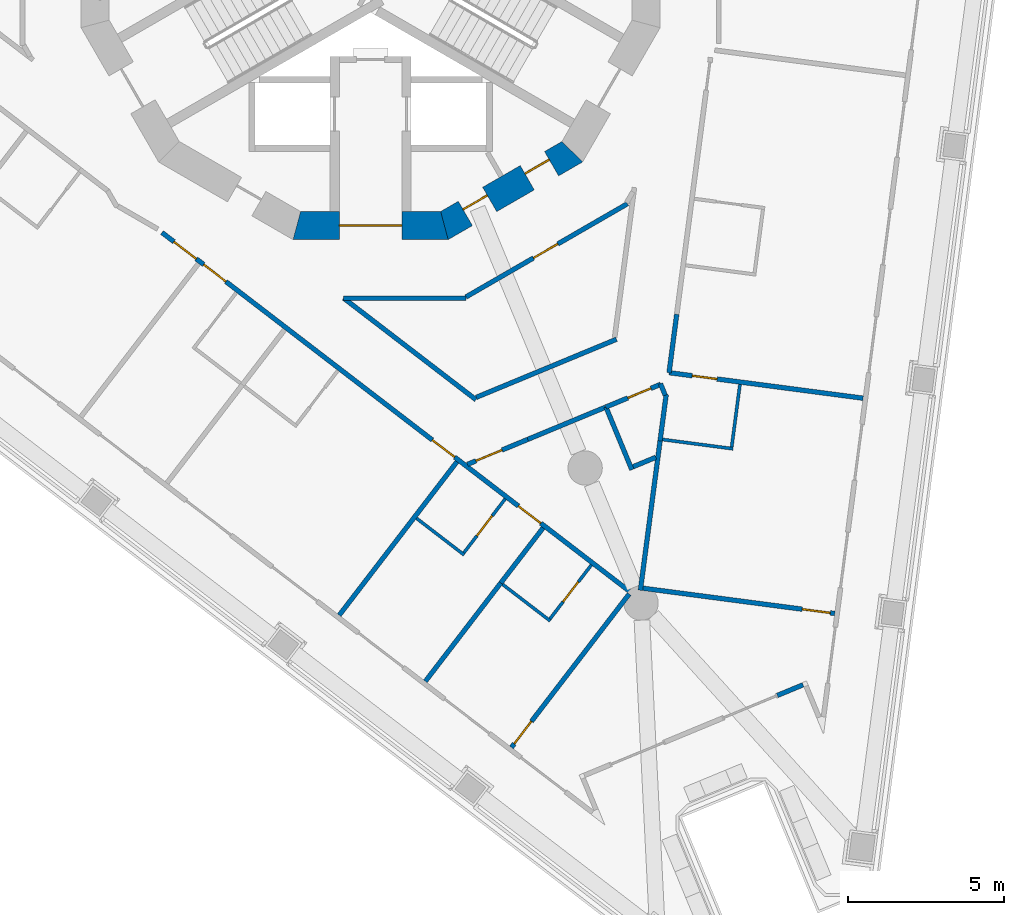
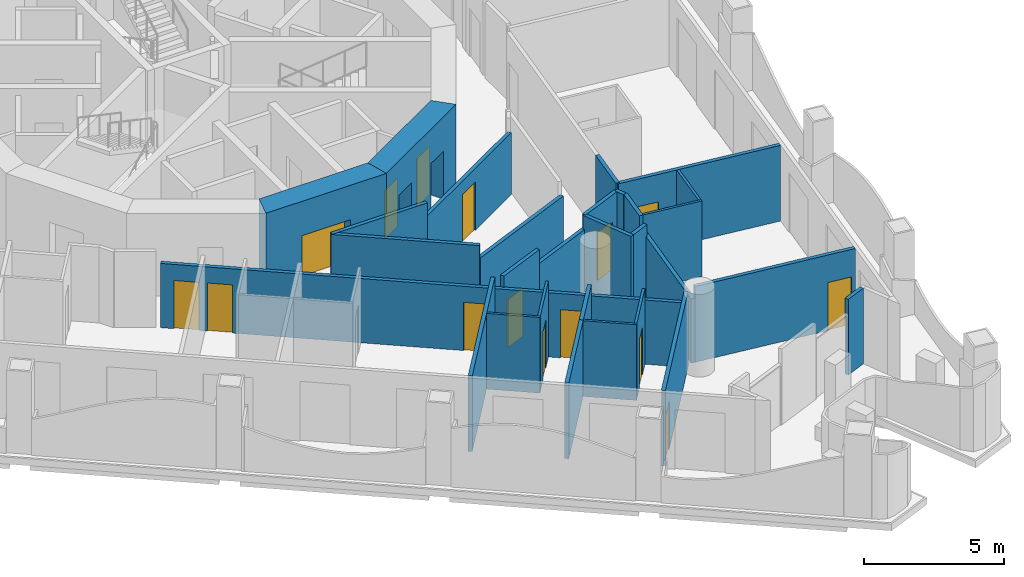
# One storey, part 4 of 18: 29 walls, 15 doors, 15 openings.
"""IFC4 building model written with IfcOpenShell, lengths in metres."""

from ifc_helpers import new_model, si_unit, direction, frame, frame_2d, origin, place, context, subcontext, project, spatial, polyline, rectangle, outline, extrude, material, layer, layer_set, type_object, element, fill, save


model = new_model("IFC4")

# Units and contexts
model_context = context("Model", 3, precision=1e-05, world=origin(), true_north=direction((0.0, 1.0)))
body_context = subcontext(model_context, "Body", "Model", "MODEL_VIEW")
ifc_project = project(units=[si_unit("LENGTHUNIT", "METRE"), si_unit("AREAUNIT", "SQUARE_METRE"), si_unit("VOLUMEUNIT", "CUBIC_METRE"), si_unit("PLANEANGLEUNIT", "RADIAN"), si_unit("MASSUNIT", "GRAM", prefix="KILO")], contexts=[model_context])

# Site, building, storey
site_placement = place(None, origin())
site = spatial("IfcSite", under=ifc_project, at=site_placement, CompositionType="ELEMENT")
building_placement = place(site_placement, origin())
building = spatial("IfcBuilding", under=site, at=building_placement, Name="Trine Commons Tower", CompositionType="ELEMENT")
storey_placement = place(building_placement, frame((0.0, 0.0, 142.199951171875)))
storey = spatial("IfcBuildingStorey", under=building, at=storey_placement, Name="L36", CompositionType="ELEMENT", Elevation=142.199951171875)

# Wall
ifc_material_1 = material(Name="Aluminium-framed insulated wall panel", Category="aluminium")
ifc_layer_1 = layer(ifc_material_1, 0.14990234375)
ifc_layer_set_1 = layer_set([ifc_layer_1], Name="Aluminium-framed insulated wall panel")
wall_type_1 = type_object("IfcWallType", Name="Glazed frame wall 150, EI 60", PredefinedType="SOLIDWALL", material=ifc_layer_set_1)
wall_1_placement = place(storey_placement, frame((93.951416015625, 39.009521484375, 0.0), z_axis=(0.0, 0.0, 1.0), x_axis=(-0.923826362943, -0.382811769845, 0.0)))
element("IfcWall", 1, at=wall_1_placement, inside=storey, type_object=wall_type_1, Name="Glazed frame wall P3.1", PredefinedType="SOLIDWALL", context=body_context, shape_type="SweptSolid", body=[
    extrude(outline(polyline([(0.110107421875, -0.074951171875), (1.0, -0.074951171875), (1.0, 0.074951171875), (0.110107421875, 0.074951171875), (0.110107421875, -0.074951171875)])), origin(), (0.0, 0.0, 1.0), 3.300048828125),
])

# Wall, opening, door
ifc_material_2 = material(Name="Concrete C70/85", Category="concrete")
ifc_layer_2 = layer(ifc_material_2, 0.89990234375)
ifc_layer_set_2 = layer_set([ifc_layer_2], Name="Concrete C70/85")
wall_type_2 = type_object("IfcWallType", Name="RC shear wall 900 mm, C70/85", PredefinedType="SHEAR", material=ifc_layer_set_2)
wall_2_placement = place(storey_placement, frame((77.515380859375, 53.677001953125, 0.0), z_axis=(0.0, 0.0, 1.0), x_axis=(1.0, 0.0, 0.0)))
wall_2 = element("IfcWall", 2, at=wall_2_placement, inside=storey, type_object=wall_type_2, Name="Core wall CWD-10 L36", PredefinedType="SHEAR", context=body_context, shape_type="SweptSolid", body=[
    extrude(outline(polyline([(0.0, -0.449951171875), (4.969482421875, -0.449951171875), (4.728271484375, 0.449951171875), (0.2412109375, 0.449951171875), (0.0, -0.449951171875)])), origin(), (0.0, 0.0, 1.0), 3.60009765625),
])
opening_1_placement = place(wall_2_placement, frame((1.484619140625, 0.0, 0.0)))
opening_1 = element("IfcOpeningElement", 3, at=opening_1_placement, cuts=wall_2, Name="Opening K11.08", PredefinedType="OPENING", context=body_context, shape_type="SweptSolid", body=[
    extrude(rectangle(XDim=2.0, YDim=2.10009765625, at=frame_2d((1.0, 1.050048828125))), frame((0.0, 0.4599609375, 0.0), z_axis=(0.0, -1.0, 0.0), x_axis=(1.0, 0.0, 0.0)), (0.0, 0.0, 1.0), 0.919921875),
])
ifc_material_3 = material(Name="Steel door leaves, fire-rated", Category="steel")
door_type_1 = type_object("IfcDoorType", Name="Lobby door, double leaf 2000 x 2100, FD60", OperationType="DOUBLE_DOOR_SINGLE_SWING", PredefinedType="DOOR", material=ifc_material_3)
door_1_placement = place(opening_1_placement, origin())
door_1 = element("IfcDoor", 4, at=door_1_placement, inside=storey, type_object=door_type_1, Name="Lobby door, Service and firefighting lobby L36", OperationType="DOUBLE_DOOR_SINGLE_SWING", OverallHeight=2.10009765625, OverallWidth=2.0, PredefinedType="DOOR", context=body_context, shape_type="SweptSolid", body=[
    extrude(rectangle(XDim=2.0, YDim=2.10009765625, at=frame_2d((1.0, 1.050048828125))), frame((0.0, 0.02490234375, 0.0), z_axis=(0.0, -1.0, 0.0), x_axis=(1.0, 0.0, 0.0)), (0.0, 0.0, 1.0), 0.050048828125),
])
fill(opening_1, door_1)

# Wall, openings, doors
wall_3_placement = place(storey_placement, frame((82.259765625, 53.61669921875, 0.0), z_axis=(0.0, 0.0, 1.0), x_axis=(0.866003133579, 0.500038571144, 0.0)))
wall_3 = element("IfcWall", 5, at=wall_3_placement, inside=storey, type_object=wall_type_2, Name="Core wall CWD-11 L36", PredefinedType="SHEAR", context=body_context, shape_type="SweptSolid", body=[
    extrude(outline(polyline([(0.0, -0.449951171875), (4.96923828125, -0.449951171875), (4.72802734375, 0.449951171875), (0.2412109375, 0.449951171875), (0.0, -0.449951171875)])), origin(), (0.0, 0.0, 1.0), 3.60009765625),
])
opening_2_placement = place(wall_3_placement, frame((0.89501953125, 0.0, 0.0)))
opening_2 = element("IfcOpeningElement", 6, at=opening_2_placement, cuts=wall_3, Name="Opening K11.17", PredefinedType="OPENING", context=body_context, shape_type="SweptSolid", body=[
    extrude(rectangle(XDim=0.89990234375, YDim=2.10009765625, at=frame_2d((0.449951171875, 1.050048828125))), frame((0.0, 0.4599609375, 0.0), z_axis=(0.0, -1.0, 0.0), x_axis=(1.0, 0.0, 0.0)), (0.0, 0.0, 1.0), 0.919921875),
])
opening_3_placement = place(wall_3_placement, frame((3.18408203125, 0.0, 0.0)))
opening_3 = element("IfcOpeningElement", 7, at=opening_3_placement, cuts=wall_3, Name="Opening K11.18", PredefinedType="OPENING", context=body_context, shape_type="SweptSolid", body=[
    extrude(rectangle(XDim=0.89990234375, YDim=2.10009765625, at=frame_2d((0.449951171875, 1.050048828125))), frame((0.0, 0.4599609375, 0.0), z_axis=(0.0, -1.0, 0.0), x_axis=(1.0, 0.0, 0.0)), (0.0, 0.0, 1.0), 0.919921875),
])
ifc_material_4 = material(Name="Steel door leaf, fire-rated", Category="steel")
door_type_2 = type_object("IfcDoorType", Name="Core room door, single leaf 900 x 2100, FD30S", OperationType="SINGLE_SWING_LEFT", PredefinedType="DOOR", material=ifc_material_4)
door_2_placement = place(opening_2_placement, origin())
door_2 = element("IfcDoor", 8, at=door_2_placement, inside=storey, type_object=door_type_2, Name="Door to Parcel store L36", OperationType="SINGLE_SWING_LEFT", OverallHeight=2.10009765625, OverallWidth=0.89990234375, PredefinedType="DOOR", context=body_context, shape_type="SweptSolid", body=[
    extrude(rectangle(XDim=0.89990234375, YDim=2.10009765625, at=frame_2d((0.449951171875, 1.050048828125))), frame((0.0, 0.1748046875, 0.0), z_axis=(0.0, -1.0, 0.0), x_axis=(1.0, 0.0, 0.0)), (0.0, 0.0, 1.0), 0.050048828125),
])
fill(opening_2, door_2)
door_3_placement = place(opening_3_placement, origin())
door_3 = element("IfcDoor", 9, at=door_3_placement, inside=storey, type_object=door_type_2, Name="Door to Print room L36", OperationType="SINGLE_SWING_RIGHT", OverallHeight=2.10009765625, OverallWidth=0.89990234375, PredefinedType="DOOR", context=body_context, shape_type="SweptSolid", body=[
    extrude(rectangle(XDim=0.89990234375, YDim=2.10009765625, at=frame_2d((0.449951171875, 1.050048828125))), frame((0.0, 0.1748046875, 0.0), z_axis=(0.0, -1.0, 0.0), x_axis=(1.0, 0.0, 0.0)), (0.0, 0.0, 1.0), 0.050048828125),
])
fill(opening_3, door_3)

ifc_material_5 = material(Name="Gypsum plasterboard on steel stud", Category="steel")
ifc_layer_3 = layer(ifc_material_5, 0.14990234375)
ifc_layer_set_3 = layer_set([ifc_layer_3], Name="Gypsum plasterboard on steel stud")
wall_type_3 = type_object("IfcWallType", Name="Unit and corridor wall 150 mm, EI 60", PredefinedType="PARTITIONING", material=ifc_layer_set_3)
wall_4_placement = place(storey_placement, frame((73.318115234375, 53.4541015625, 0.0), z_axis=(0.0, 0.0, 1.0), x_axis=(0.793337765411, -0.60878172605, 0.0)))
wall_4 = element("IfcWall", 10, at=wall_4_placement, inside=storey, type_object=wall_type_3, Name="Partition 052", PredefinedType="PARTITIONING", context=body_context, shape_type="SweptSolid", body=[
    extrude(rectangle(XDim=18.994873046875, YDim=0.14990234375, at=frame_2d((9.49755859375, 0.0))), origin(), (0.0, 0.0, 1.0), 2.800048828125),
])
opening_4_placement = place(wall_4_placement, frame((14.39306640625, 0.0, 0.0)))
opening_4 = element("IfcOpeningElement", 11, at=opening_4_placement, cuts=wall_4, Name="Opening D-4B21", PredefinedType="OPENING", context=body_context, shape_type="SweptSolid", body=[
    extrude(rectangle(XDim=0.89990234375, YDim=2.10009765625, at=frame_2d((0.449951171875, 1.050048828125))), frame((0.0, 0.0849609375, 0.0), z_axis=(0.0, -1.0, 0.0), x_axis=(1.0, 0.0, 0.0)), (0.0, 0.0, 1.0), 0.169921875),
])
opening_5_placement = place(wall_4_placement, frame((10.91552734375, 0.0, 0.0)))
opening_5 = element("IfcOpeningElement", 12, at=opening_5_placement, cuts=wall_4, Name="Opening D-4B22", PredefinedType="OPENING", context=body_context, shape_type="SweptSolid", body=[
    extrude(rectangle(XDim=0.89990234375, YDim=2.10009765625, at=frame_2d((0.449951171875, 1.050048828125))), frame((0.0, 0.0849609375, 0.0), z_axis=(0.0, -1.0, 0.0), x_axis=(1.0, 0.0, 0.0)), (0.0, 0.0, 1.0), 0.169921875),
])
opening_6_placement = place(wall_4_placement, frame((1.6826171875, 0.0, 0.0)))
opening_6 = element("IfcOpeningElement", 13, at=opening_6_placement, cuts=wall_4, Name="Opening D-4B23", PredefinedType="OPENING", context=body_context, shape_type="SweptSolid", body=[
    extrude(rectangle(XDim=0.89990234375, YDim=2.10009765625, at=frame_2d((0.449951171875, 1.050048828125))), frame((0.0, 0.0849609375, 0.0), z_axis=(0.0, -1.0, 0.0), x_axis=(1.0, 0.0, 0.0)), (0.0, 0.0, 1.0), 0.169921875),
])
opening_7_placement = place(wall_4_placement, frame((0.482666015625, 0.0, 0.0)))
opening_7 = element("IfcOpeningElement", 14, at=opening_7_placement, cuts=wall_4, Name="Opening D-4B24", PredefinedType="OPENING", context=body_context, shape_type="SweptSolid", body=[
    extrude(rectangle(XDim=0.89990234375, YDim=2.10009765625, at=frame_2d((0.449951171875, 1.050048828125))), frame((0.0, 0.0849609375, 0.0), z_axis=(0.0, -1.0, 0.0), x_axis=(1.0, 0.0, 0.0)), (0.0, 0.0, 1.0), 0.169921875),
])
ifc_material_6 = material(Name="Timber fire door set", Category="wood")
door_type_3 = type_object("IfcDoorType", Name="Bedroom door 900 x 2100, FD30S", OperationType="NOTDEFINED", PredefinedType="DOOR", material=ifc_material_6)
door_4_placement = place(opening_4_placement, frame((0.89990234375, 0.0, 0.0), z_axis=(0.0, 0.0, 1.0), x_axis=(-1.0, 0.0, 0.0)))
door_4 = element("IfcDoor", 15, at=door_4_placement, inside=storey, type_object=door_type_3, Name="Door D-4B21", OperationType="SINGLE_SWING_LEFT", OverallHeight=2.10009765625, OverallWidth=0.89990234375, PredefinedType="DOOR", context=body_context, shape_type="SweptSolid", body=[
    extrude(rectangle(XDim=0.89990234375, YDim=2.10009765625, at=frame_2d((0.449951171875, 1.050048828125))), frame((0.0, 0.02490234375, 0.0), z_axis=(0.0, -1.0, 0.0), x_axis=(1.0, 0.0, 0.0)), (0.0, 0.0, 1.0), 0.050048828125),
])
fill(opening_4, door_4)
door_5_placement = place(opening_5_placement, frame((0.89990234375, 0.0, 0.0), z_axis=(0.0, 0.0, 1.0), x_axis=(-1.0, 0.0, 0.0)))
door_5 = element("IfcDoor", 16, at=door_5_placement, inside=storey, type_object=door_type_3, Name="Door D-4B22", OperationType="SINGLE_SWING_LEFT", OverallHeight=2.10009765625, OverallWidth=0.89990234375, PredefinedType="DOOR", context=body_context, shape_type="SweptSolid", body=[
    extrude(rectangle(XDim=0.89990234375, YDim=2.10009765625, at=frame_2d((0.449951171875, 1.050048828125))), frame((0.0, 0.02490234375, 0.0), z_axis=(0.0, -1.0, 0.0), x_axis=(1.0, 0.0, 0.0)), (0.0, 0.0, 1.0), 0.050048828125),
])
fill(opening_5, door_5)
door_6_placement = place(opening_6_placement, frame((0.89990234375, 0.0, 0.0), z_axis=(0.0, 0.0, 1.0), x_axis=(-1.0, 0.0, 0.0)))
door_6 = element("IfcDoor", 17, at=door_6_placement, inside=storey, type_object=door_type_3, Name="Door D-4B23", OperationType="SINGLE_SWING_RIGHT", OverallHeight=2.10009765625, OverallWidth=0.89990234375, PredefinedType="DOOR", context=body_context, shape_type="SweptSolid", body=[
    extrude(rectangle(XDim=0.89990234375, YDim=2.10009765625, at=frame_2d((0.449951171875, 1.050048828125))), frame((0.0, 0.02490234375, 0.0), z_axis=(0.0, -1.0, 0.0), x_axis=(1.0, 0.0, 0.0)), (0.0, 0.0, 1.0), 0.050048828125),
])
fill(opening_6, door_6)
door_7_placement = place(opening_7_placement, frame((0.89990234375, 0.0, 0.0), z_axis=(0.0, 0.0, 1.0), x_axis=(-1.0, 0.0, 0.0)))
door_7 = element("IfcDoor", 18, at=door_7_placement, inside=storey, type_object=door_type_3, Name="Door D-4B24", OperationType="SINGLE_SWING_RIGHT", OverallHeight=2.10009765625, OverallWidth=0.89990234375, PredefinedType="DOOR", context=body_context, shape_type="SweptSolid", body=[
    extrude(rectangle(XDim=0.89990234375, YDim=2.10009765625, at=frame_2d((0.449951171875, 1.050048828125))), frame((0.0, 0.02490234375, 0.0), z_axis=(0.0, -1.0, 0.0), x_axis=(1.0, 0.0, 0.0)), (0.0, 0.0, 1.0), 0.050048828125),
])
fill(opening_7, door_7)

# Walls
wall_5_placement = place(storey_placement, frame((78.994384765625, 41.19677734375, 0.0), z_axis=(0.0, 0.0, 1.0), x_axis=(0.608811285709, 0.79331508141, 0.0)))
element("IfcWall", 19, at=wall_5_placement, inside=storey, type_object=wall_type_3, Name="Partition 069", PredefinedType="PARTITIONING", context=body_context, shape_type="SweptSolid", body=[
    extrude(rectangle(XDim=6.194091796875, YDim=0.14990234375, at=frame_2d((3.09716796875, 0.0))), origin(), (0.0, 0.0, 1.0), 3.300048828125),
])
wall_6_placement = place(storey_placement, frame((79.134033203125, 51.35205078125, 0.0), z_axis=(0.0, 0.0, 1.0), x_axis=(1.0, 0.0, 0.0)))
element("IfcWall", 20, at=wall_6_placement, inside=storey, type_object=wall_type_3, Name="Partition 071", PredefinedType="PARTITIONING", context=body_context, shape_type="SweptSolid", body=[
    extrude(rectangle(XDim=3.927978515625, YDim=0.14990234375, at=frame_2d((1.9638671875, 0.0))), origin(), (0.0, 0.0, 1.0), 3.300048828125),
])
wall_7_placement = place(storey_placement, frame((79.137939453125, 51.35205078125, 0.0), z_axis=(0.0, 0.0, 1.0), x_axis=(0.793274409151, -0.608864280268, 0.0)))
element("IfcWall", 21, at=wall_7_placement, inside=storey, type_object=wall_type_3, Name="Partition 072", PredefinedType="PARTITIONING", context=body_context, shape_type="SweptSolid", body=[
    extrude(rectangle(XDim=5.340576171875, YDim=0.14990234375, at=frame_2d((2.67041015625, 0.0))), origin(), (0.0, 0.0, 1.0), 3.300048828125),
])
wall_8_placement = place(storey_placement, frame((81.75341796875, 39.07958984375, 0.0), z_axis=(0.0, 0.0, 1.0), x_axis=(0.608586492439, 0.793487543204, 0.0)))
element("IfcWall", 22, at=wall_8_placement, inside=storey, type_object=wall_type_3, Name="Partition 078", PredefinedType="PARTITIONING", context=body_context, shape_type="SweptSolid", body=[
    extrude(rectangle(XDim=3.968994140625, YDim=0.14990234375, at=frame_2d((1.984375, 0.0))), origin(), (0.0, 0.0, 1.0), 3.300048828125),
])

# Wall, opening, door
wall_9_placement = place(storey_placement, frame((83.052001953125, 51.389404296875, 0.0), z_axis=(0.0, 0.0, 1.0), x_axis=(0.866039280689, 0.499975963725, 0.0)))
wall_9 = element("IfcWall", 23, at=wall_9_placement, inside=storey, type_object=wall_type_3, Name="Partition 083", PredefinedType="PARTITIONING", context=body_context, shape_type="SweptSolid", body=[
    extrude(rectangle(XDim=5.974365234375, YDim=0.14990234375, at=frame_2d((2.9873046875, 0.0))), origin(), (0.0, 0.0, 1.0), 2.699951171875),
])
opening_8_placement = place(wall_9_placement, frame((2.499755859375, 0.0, 0.0)))
opening_8 = element("IfcOpeningElement", 24, at=opening_8_placement, cuts=wall_9, Name="Opening D-4B29", PredefinedType="OPENING", context=body_context, shape_type="SweptSolid", body=[
    extrude(rectangle(XDim=0.89990234375, YDim=2.10009765625, at=frame_2d((0.449951171875, 1.050048828125))), frame((0.0, 0.0849609375, 0.0), z_axis=(0.0, -1.0, 0.0), x_axis=(1.0, 0.0, 0.0)), (0.0, 0.0, 1.0), 0.169921875),
])
door_type_4 = type_object("IfcDoorType", Name="Service door 900 x 2100, FD30S", OperationType="NOTDEFINED", PredefinedType="DOOR", material=ifc_material_6)
door_8_placement = place(opening_8_placement, frame((0.89990234375, 0.0, 0.0), z_axis=(0.0, 0.0, 1.0), x_axis=(-1.0, 0.0, 0.0)))
door_8 = element("IfcDoor", 25, at=door_8_placement, inside=storey, type_object=door_type_4, Name="Door D-4B29", OperationType="SINGLE_SWING_RIGHT", OverallHeight=2.10009765625, OverallWidth=0.89990234375, PredefinedType="DOOR", context=body_context, shape_type="SweptSolid", body=[
    extrude(rectangle(XDim=0.89990234375, YDim=2.10009765625, at=frame_2d((0.449951171875, 1.050048828125))), frame((0.0, 0.02490234375, 0.0), z_axis=(0.0, -1.0, 0.0), x_axis=(1.0, 0.0, 0.0)), (0.0, 0.0, 1.0), 0.050048828125),
])
fill(opening_8, door_8)

wall_10_placement = place(storey_placement, frame((83.102294921875, 46.02880859375, 0.0), z_axis=(0.0, 0.0, 1.0), x_axis=(0.923986937012, 0.382424031973, 0.0)))
wall_10 = element("IfcWall", 26, at=wall_10_placement, inside=storey, type_object=wall_type_3, Name="Partition 085", PredefinedType="PARTITIONING", context=body_context, shape_type="SweptSolid", body=[
    extrude(rectangle(XDim=2.089599609375, YDim=0.14990234375, at=frame_2d((1.044921875, 0.0))), origin(), (0.0, 0.0, 1.0), 3.300048828125),
])
opening_9_placement = place(wall_10_placement, frame((0.2978515625, 0.0, 0.0)))
opening_9 = element("IfcOpeningElement", 27, at=opening_9_placement, cuts=wall_10, Name="Opening D-4B02", PredefinedType="OPENING", context=body_context, shape_type="SweptSolid", body=[
    extrude(rectangle(XDim=0.89990234375, YDim=2.10009765625, at=frame_2d((0.449951171875, 1.050048828125))), frame((0.0, 0.0849609375, 0.0), z_axis=(0.0, -1.0, 0.0), x_axis=(1.0, 0.0, 0.0)), (0.0, 0.0, 1.0), 0.169921875),
])
door_type_5 = type_object("IfcDoorType", Name="Cluster entrance door 900 x 2100, FD30S", OperationType="NOTDEFINED", PredefinedType="DOOR", material=ifc_material_6)
door_9_placement = place(opening_9_placement, frame((0.89990234375, 0.0, 0.0), z_axis=(0.0, 0.0, 1.0), x_axis=(-1.0, 0.0, 0.0)))
door_9 = element("IfcDoor", 28, at=door_9_placement, inside=storey, type_object=door_type_5, Name="Door D-4B02", OperationType="SINGLE_SWING_RIGHT", OverallHeight=2.10009765625, OverallWidth=0.89990234375, PredefinedType="DOOR", context=body_context, shape_type="SweptSolid", body=[
    extrude(rectangle(XDim=0.89990234375, YDim=2.10009765625, at=frame_2d((0.449951171875, 1.050048828125))), frame((0.0, 0.02490234375, 0.0), z_axis=(0.0, -1.0, 0.0), x_axis=(1.0, 0.0, 0.0)), (0.0, 0.0, 1.0), 0.050048828125),
])
fill(opening_9, door_9)

# Walls
wall_11_placement = place(storey_placement, frame((83.38427734375, 48.1748046875, 0.0), z_axis=(0.0, 0.0, 1.0), x_axis=(0.923876009177, 0.382691938335, 0.0)))
element("IfcWall", 29, at=wall_11_placement, inside=storey, type_object=wall_type_3, Name="Partition 086", PredefinedType="PARTITIONING", context=body_context, shape_type="SweptSolid", body=[
    extrude(rectangle(XDim=4.85986328125, YDim=0.14990234375, at=frame_2d((2.429931640625, 0.0))), origin(), (0.0, 0.0, 1.0), 2.699951171875),
])
wall_12_placement = place(storey_placement, frame((84.1689453125, 42.22900390625, 0.0), z_axis=(0.0, 0.0, 1.0), x_axis=(0.609212171412, 0.793007269956, 0.0)))
element("IfcWall", 30, at=wall_12_placement, inside=storey, type_object=wall_type_3, Name="Partition 088", PredefinedType="PARTITIONING", context=body_context, shape_type="SweptSolid", body=[
    extrude(rectangle(XDim=2.224853515625, YDim=0.14990234375, at=frame_2d((1.1123046875, 0.0))), origin(), (0.0, 0.0, 1.0), 3.300048828125),
])

# Wall, opening, door
wall_13_placement = place(storey_placement, frame((84.51220703125, 36.962646484375, 0.0), z_axis=(0.0, 0.0, 1.0), x_axis=(0.608712047114, 0.79339122991, 0.0)))
wall_13 = element("IfcWall", 31, at=wall_13_placement, inside=storey, type_object=wall_type_3, Name="Partition 090", PredefinedType="PARTITIONING", context=body_context, shape_type="SweptSolid", body=[
    extrude(rectangle(XDim=6.193359375, YDim=0.14990234375, at=frame_2d((3.0966796875, 0.0))), origin(), (0.0, 0.0, 1.0), 3.300048828125),
])
opening_10_placement = place(wall_13_placement, frame((0.14990234375, 0.0, 0.0)))
opening_10 = element("IfcOpeningElement", 32, at=opening_10_placement, cuts=wall_13, Name="Opening D-4B20", PredefinedType="OPENING", context=body_context, shape_type="SweptSolid", body=[
    extrude(rectangle(XDim=0.89990234375, YDim=2.10009765625, at=frame_2d((0.449951171875, 1.050048828125))), frame((0.0, 0.0849609375, 0.0), z_axis=(0.0, -1.0, 0.0), x_axis=(1.0, 0.0, 0.0)), (0.0, 0.0, 1.0), 0.169921875),
])
door_10_placement = place(opening_10_placement, origin())
door_10 = element("IfcDoor", 33, at=door_10_placement, inside=storey, type_object=door_type_3, Name="Door D-4B20", OperationType="SINGLE_SWING_LEFT", OverallHeight=2.10009765625, OverallWidth=0.89990234375, PredefinedType="DOOR", context=body_context, shape_type="SweptSolid", body=[
    extrude(rectangle(XDim=0.89990234375, YDim=2.10009765625, at=frame_2d((0.449951171875, 1.050048828125))), frame((0.0, 0.02490234375, 0.0), z_axis=(0.0, -1.0, 0.0), x_axis=(1.0, 0.0, 0.0)), (0.0, 0.0, 1.0), 0.050048828125),
])
fill(opening_10, door_10)

# Wall
wall_14_placement = place(storey_placement, frame((85.032958984375, 46.827880859375, 0.0), z_axis=(0.0, 0.0, 1.0), x_axis=(0.923769467477, 0.382949044857, 0.0)))
element("IfcWall", 34, at=wall_14_placement, inside=storey, type_object=wall_type_3, Name="Partition 091", PredefinedType="PARTITIONING", context=body_context, shape_type="SweptSolid", body=[
    extrude(rectangle(XDim=2.695556640625, YDim=0.14990234375, at=frame_2d((1.34765625, 0.0))), origin(), (0.0, 0.0, 1.0), 2.699951171875),
])

# Wall, opening, door
wall_15_placement = place(storey_placement, frame((87.532958984375, 47.864013671875, 0.0), z_axis=(0.0, 0.0, 1.0), x_axis=(0.923851437131, 0.382751253571, 0.0)))
wall_15 = element("IfcWall", 35, at=wall_15_placement, inside=storey, type_object=wall_type_3, Name="Partition 099", PredefinedType="PARTITIONING", context=body_context, shape_type="SweptSolid", body=[
    extrude(rectangle(XDim=1.9072265625, YDim=0.14990234375, at=frame_2d((0.95361328125, 0.0))), origin(), (0.0, 0.0, 1.0), 3.300048828125),
])
opening_11_placement = place(wall_15_placement, frame((0.764892578125, 0.0, 0.0)))
opening_11 = element("IfcOpeningElement", 36, at=opening_11_placement, cuts=wall_15, Name="Opening D-4B04", PredefinedType="OPENING", context=body_context, shape_type="SweptSolid", body=[
    extrude(rectangle(XDim=0.800048828125, YDim=2.10009765625, at=frame_2d((0.39990234375, 1.050048828125))), frame((0.0, 0.0849609375, 0.0), z_axis=(0.0, -1.0, 0.0), x_axis=(1.0, 0.0, 0.0)), (0.0, 0.0, 1.0), 0.169921875),
])
ifc_material_7 = material(Name="Painted timber", Category="wood")
door_type_6 = type_object("IfcDoorType", Name="Toilet door 800 x 2100, NOT RATED", OperationType="NOTDEFINED", PredefinedType="DOOR", material=ifc_material_7)
door_11_placement = place(opening_11_placement, frame((0.800048828125, 0.0, 0.0), z_axis=(0.0, 0.0, 1.0), x_axis=(-1.0, 0.0, 0.0)))
door_11 = element("IfcDoor", 37, at=door_11_placement, inside=storey, type_object=door_type_6, Name="Door D-4B04", OperationType="SINGLE_SWING_LEFT", OverallHeight=2.10009765625, OverallWidth=0.800048828125, PredefinedType="DOOR", context=body_context, shape_type="SweptSolid", body=[
    extrude(rectangle(XDim=0.800048828125, YDim=2.10009765625, at=frame_2d((0.39990234375, 1.050048828125))), frame((0.0, 0.02490234375, 0.0), z_axis=(0.0, -1.0, 0.0), x_axis=(1.0, 0.0, 0.0)), (0.0, 0.0, 1.0), 0.050048828125),
])
fill(opening_11, door_11)

# Walls
wall_16_placement = place(storey_placement, frame((87.537109375, 47.864990234375, 0.0), z_axis=(0.0, 0.0, 1.0), x_axis=(0.382398068784, -0.923997682351, 0.0)))
element("IfcWall", 38, at=wall_16_placement, inside=storey, type_object=wall_type_3, Name="Partition 100", PredefinedType="PARTITIONING", context=body_context, shape_type="SweptSolid", body=[
    extrude(rectangle(XDim=2.174560546875, YDim=0.14990234375, at=frame_2d((1.08740234375, 0.0))), origin(), (0.0, 0.0, 1.0), 3.300048828125),
])
wall_17_placement = place(storey_placement, frame((88.4091796875, 45.95361328125, 0.0), z_axis=(0.0, 0.0, 1.0), x_axis=(0.92369931044, 0.383118237484, 0.0)))
element("IfcWall", 39, at=wall_17_placement, inside=storey, type_object=wall_type_3, Name="Partition 107", PredefinedType="PARTITIONING", context=body_context, shape_type="SweptSolid", body=[
    extrude(rectangle(XDim=0.78759765625, YDim=0.14990234375, at=frame_2d((0.393798828125, 0.0))), origin(), (0.0, 0.0, 1.0), 3.300048828125),
])
wall_18_placement = place(storey_placement, frame((88.64111328125, 41.99560546875, 0.0), z_axis=(0.0, 0.0, 1.0), x_axis=(0.130614848927, 0.991433185464, 0.0)))
element("IfcWall", 40, at=wall_18_placement, inside=storey, type_object=wall_type_3, Name="Partition 108", PredefinedType="PARTITIONING", context=body_context, shape_type="SweptSolid", body=[
    extrude(rectangle(XDim=4.884033203125, YDim=0.14990234375, at=frame_2d((2.44189453125, 0.0))), origin(), (0.0, 0.0, 1.0), 2.800048828125),
])

# Wall, opening, door
wall_19_placement = place(storey_placement, frame((88.725341796875, 42.060302734375, 0.0), z_axis=(0.0, 0.0, 1.0), x_axis=(0.991454966236, -0.130449415202, 0.0)))
wall_19 = element("IfcWall", 41, at=wall_19_placement, inside=storey, type_object=wall_type_3, Name="Partition 109", PredefinedType="PARTITIONING", context=body_context, shape_type="SweptSolid", body=[
    extrude(rectangle(XDim=6.19482421875, YDim=0.14990234375, at=frame_2d((3.097412109375, 0.0))), origin(), (0.0, 0.0, 1.0), 3.300048828125),
])
opening_12_placement = place(wall_19_placement, frame((5.14501953125, 0.0, 0.0)))
opening_12 = element("IfcOpeningElement", 42, at=opening_12_placement, cuts=wall_19, Name="Opening D-4B19", PredefinedType="OPENING", context=body_context, shape_type="SweptSolid", body=[
    extrude(rectangle(XDim=0.89990234375, YDim=2.10009765625, at=frame_2d((0.449951171875, 1.050048828125))), frame((0.0, 0.0849609375, 0.0), z_axis=(0.0, -1.0, 0.0), x_axis=(1.0, 0.0, 0.0)), (0.0, 0.0, 1.0), 0.169921875),
])
door_12_placement = place(opening_12_placement, origin())
door_12 = element("IfcDoor", 43, at=door_12_placement, inside=storey, type_object=door_type_3, Name="Door D-4B19", OperationType="SINGLE_SWING_RIGHT", OverallHeight=2.10009765625, OverallWidth=0.89990234375, PredefinedType="DOOR", context=body_context, shape_type="SweptSolid", body=[
    extrude(rectangle(XDim=0.89990234375, YDim=2.10009765625, at=frame_2d((0.449951171875, 1.050048828125))), frame((0.0, 0.02490234375, 0.0), z_axis=(0.0, -1.0, 0.0), x_axis=(1.0, 0.0, 0.0)), (0.0, 0.0, 1.0), 0.050048828125),
])
fill(opening_12, door_12)

# Walls
wall_20_placement = place(storey_placement, frame((89.271484375, 46.780517578125, 0.0), z_axis=(0.0, 0.0, 1.0), x_axis=(0.130968577384, 0.991386519849, 0.0)))
element("IfcWall", 44, at=wall_20_placement, inside=storey, type_object=wall_type_3, Name="Partition 111", PredefinedType="PARTITIONING", context=body_context, shape_type="SweptSolid", body=[
    extrude(rectangle(XDim=1.498779296875, YDim=0.14990234375, at=frame_2d((0.74951171875, 0.0))), origin(), (0.0, 0.0, 1.0), 3.300048828125),
])
wall_21_placement = place(storey_placement, frame((89.283935546875, 48.611328125, 0.0), z_axis=(0.0, 0.0, 1.0), x_axis=(0.383358021714, -0.923599819829, 0.0)))
element("IfcWall", 45, at=wall_21_placement, inside=storey, type_object=wall_type_3, Name="Partition 113", PredefinedType="PARTITIONING", context=body_context, shape_type="SweptSolid", body=[
    extrude(rectangle(XDim=0.39990234375, YDim=0.14990234375, at=frame_2d((0.199951171875, 0.0))), origin(), (0.0, 0.0, 1.0), 3.300048828125),
])
wall_22_placement = place(storey_placement, frame((89.55908203125, 48.9609375, 0.0), z_axis=(0.0, 0.0, 1.0), x_axis=(0.130073589494, 0.99150434256, 0.0)))
element("IfcWall", 46, at=wall_22_placement, inside=storey, type_object=wall_type_3, Name="Partition 114", PredefinedType="PARTITIONING", context=body_context, shape_type="SweptSolid", body=[
    extrude(rectangle(XDim=1.89013671875, YDim=0.14990234375, at=frame_2d((0.945068359375, 0.0))), origin(), (0.0, 0.0, 1.0), 3.300048828125),
])

# Wall, opening, door
wall_23_placement = place(storey_placement, frame((89.55908203125, 48.965087890625, 0.0), z_axis=(0.0, 0.0, 1.0), x_axis=(0.991455620836, -0.130444439942, 0.0)))
wall_23 = element("IfcWall", 47, at=wall_23_placement, inside=storey, type_object=wall_type_3, Name="Partition 115", PredefinedType="PARTITIONING", context=body_context, shape_type="SweptSolid", body=[
    extrude(rectangle(XDim=6.269775390625, YDim=0.14990234375, at=frame_2d((3.134765625, 0.0))), origin(), (0.0, 0.0, 1.0), 3.300048828125),
])
opening_13_placement = place(wall_23_placement, frame((0.750244140625, 0.0, 0.0)))
opening_13 = element("IfcOpeningElement", 48, at=opening_13_placement, cuts=wall_23, Name="Opening D-4B49", PredefinedType="OPENING", context=body_context, shape_type="SweptSolid", body=[
    extrude(rectangle(XDim=0.800048828125, YDim=2.10009765625, at=frame_2d((0.39990234375, 1.050048828125))), frame((0.0, 0.0849609375, 0.0), z_axis=(0.0, -1.0, 0.0), x_axis=(1.0, 0.0, 0.0)), (0.0, 0.0, 1.0), 0.169921875),
])
door_type_7 = type_object("IfcDoorType", Name="Internal door 800 x 2100, NOT RATED", OperationType="NOTDEFINED", PredefinedType="DOOR", material=ifc_material_7)
door_13_placement = place(opening_13_placement, origin())
door_13 = element("IfcDoor", 49, at=door_13_placement, inside=storey, type_object=door_type_7, Name="Door D-4B49", OperationType="SINGLE_SWING_LEFT", OverallHeight=2.10009765625, OverallWidth=0.800048828125, PredefinedType="DOOR", context=body_context, shape_type="SweptSolid", body=[
    extrude(rectangle(XDim=0.800048828125, YDim=2.10009765625, at=frame_2d((0.39990234375, 1.050048828125))), frame((0.0, 0.02490234375, 0.0), z_axis=(0.0, -1.0, 0.0), x_axis=(1.0, 0.0, 0.0)), (0.0, 0.0, 1.0), 0.050048828125),
])
fill(opening_13, door_13)

# Wall
ifc_layer_4 = layer(ifc_material_5, 0.10009765625)
ifc_layer_set_4 = layer_set([ifc_layer_4], Name="Gypsum plasterboard on steel stud")
wall_type_4 = type_object("IfcWallType", Name="Unit partition 100 mm, no rating", PredefinedType="PARTITIONING", material=ifc_layer_set_4)
wall_24_placement = place(storey_placement, frame((81.470458984375, 44.30029296875, 0.0), z_axis=(0.0, 0.0, 1.0), x_axis=(0.793132716202, -0.609048844092, 0.0)))
element("IfcWall", 50, at=wall_24_placement, inside=storey, type_object=wall_type_4, Name="Partition 076", PredefinedType="PARTITIONING", context=body_context, shape_type="SweptSolid", body=[
    extrude(rectangle(XDim=1.92578125, YDim=0.10009765625, at=frame_2d((0.962890625, 0.0))), origin(), (0.0, 0.0, 1.0), 3.300048828125),
])

# Wall, opening, door
wall_25_placement = place(storey_placement, frame((82.98828125, 43.19775390625, 0.0), z_axis=(0.0, 0.0, 1.0), x_axis=(0.608744865415, 0.793366049709, 0.0)))
wall_25 = element("IfcWall", 51, at=wall_25_placement, inside=storey, type_object=wall_type_4, Name="Partition 082", PredefinedType="PARTITIONING", context=body_context, shape_type="SweptSolid", body=[
    extrude(rectangle(XDim=2.17529296875, YDim=0.10009765625, at=frame_2d((1.087646484375, 0.0))), origin(), (0.0, 0.0, 1.0), 3.300048828125),
])
opening_14_placement = place(wall_25_placement, frame((0.6875, 0.0, 0.0)))
opening_14 = element("IfcOpeningElement", 52, at=opening_14_placement, cuts=wall_25, Name="Opening D-4B51", PredefinedType="OPENING", context=body_context, shape_type="SweptSolid", body=[
    extrude(rectangle(XDim=0.800048828125, YDim=2.10009765625, at=frame_2d((0.39990234375, 1.050048828125))), frame((0.0, 0.06005859375, 0.0), z_axis=(0.0, -1.0, 0.0), x_axis=(1.0, 0.0, 0.0)), (0.0, 0.0, 1.0), 0.1201171875),
])
door_14_placement = place(opening_14_placement, frame((0.800048828125, 0.0, 0.0), z_axis=(0.0, 0.0, 1.0), x_axis=(-1.0, 0.0, 0.0)))
door_14 = element("IfcDoor", 53, at=door_14_placement, inside=storey, type_object=door_type_7, Name="Door D-4B51", OperationType="SINGLE_SWING_LEFT", OverallHeight=2.10009765625, OverallWidth=0.800048828125, PredefinedType="DOOR", context=body_context, shape_type="SweptSolid", body=[
    extrude(rectangle(XDim=0.800048828125, YDim=2.10009765625, at=frame_2d((0.39990234375, 1.050048828125))), frame((0.0, 0.02490234375, 0.0), z_axis=(0.0, -1.0, 0.0), x_axis=(1.0, 0.0, 0.0)), (0.0, 0.0, 1.0), 0.050048828125),
])
fill(opening_14, door_14)

# Wall
wall_26_placement = place(storey_placement, frame((84.228515625, 42.183349609375, 0.0), z_axis=(0.0, 0.0, 1.0), x_axis=(0.793391951231, -0.608711106948, 0.0)))
element("IfcWall", 54, at=wall_26_placement, inside=storey, type_object=wall_type_4, Name="Partition 089", PredefinedType="PARTITIONING", context=body_context, shape_type="SweptSolid", body=[
    extrude(rectangle(XDim=1.9248046875, YDim=0.10009765625, at=frame_2d((0.96240234375, 0.0))), origin(), (0.0, 0.0, 1.0), 3.300048828125),
])

# Wall, opening, door
wall_27_placement = place(storey_placement, frame((85.74658203125, 41.081787109375, 0.0), z_axis=(0.0, 0.0, 1.0), x_axis=(0.60915721009, 0.793049489878, 0.0)))
wall_27 = element("IfcWall", 55, at=wall_27_placement, inside=storey, type_object=wall_type_4, Name="Partition 092", PredefinedType="PARTITIONING", context=body_context, shape_type="SweptSolid", body=[
    extrude(rectangle(XDim=2.174560546875, YDim=0.10009765625, at=frame_2d((1.08740234375, 0.0))), origin(), (0.0, 0.0, 1.0), 3.300048828125),
])
opening_15_placement = place(wall_27_placement, frame((0.6875, 0.0, 0.0)))
opening_15 = element("IfcOpeningElement", 56, at=opening_15_placement, cuts=wall_27, Name="Opening D-4B50", PredefinedType="OPENING", context=body_context, shape_type="SweptSolid", body=[
    extrude(rectangle(XDim=0.800048828125, YDim=2.10009765625, at=frame_2d((0.39990234375, 1.050048828125))), frame((0.0, 0.06005859375, 0.0), z_axis=(0.0, -1.0, 0.0), x_axis=(1.0, 0.0, 0.0)), (0.0, 0.0, 1.0), 0.1201171875),
])
door_15_placement = place(opening_15_placement, frame((0.800048828125, 0.0, 0.0), z_axis=(0.0, 0.0, 1.0), x_axis=(-1.0, 0.0, 0.0)))
door_15 = element("IfcDoor", 57, at=door_15_placement, inside=storey, type_object=door_type_7, Name="Door D-4B50", OperationType="SINGLE_SWING_LEFT", OverallHeight=2.10009765625, OverallWidth=0.800048828125, PredefinedType="DOOR", context=body_context, shape_type="SweptSolid", body=[
    extrude(rectangle(XDim=0.800048828125, YDim=2.10009765625, at=frame_2d((0.39990234375, 1.050048828125))), frame((0.0, 0.02490234375, 0.0), z_axis=(0.0, -1.0, 0.0), x_axis=(1.0, 0.0, 0.0)), (0.0, 0.0, 1.0), 0.050048828125),
])
fill(opening_15, door_15)

# Walls
wall_28_placement = place(storey_placement, frame((89.353515625, 46.82421875, 0.0), z_axis=(0.0, 0.0, 1.0), x_axis=(0.991459774706, -0.130412864162, 0.0)))
element("IfcWall", 58, at=wall_28_placement, inside=storey, type_object=wall_type_4, Name="Partition 112", PredefinedType="PARTITIONING", context=body_context, shape_type="SweptSolid", body=[
    extrude(rectangle(XDim=2.274658203125, YDim=0.10009765625, at=frame_2d((1.13720703125, 0.0))), origin(), (0.0, 0.0, 1.0), 3.300048828125),
])
wall_29_placement = place(storey_placement, frame((91.5654296875, 46.58349609375, 0.0), z_axis=(0.0, 0.0, 1.0), x_axis=(0.130725909934, 0.991418547573, 0.0)))
element("IfcWall", 59, at=wall_29_placement, inside=storey, type_object=wall_type_4, Name="Partition 129", PredefinedType="PARTITIONING", context=body_context, shape_type="SweptSolid", body=[
    extrude(rectangle(XDim=2.0244140625, YDim=0.10009765625, at=frame_2d((1.01220703125, 0.0))), origin(), (0.0, 0.0, 1.0), 3.300048828125),
])

save(model, "model.ifc")
